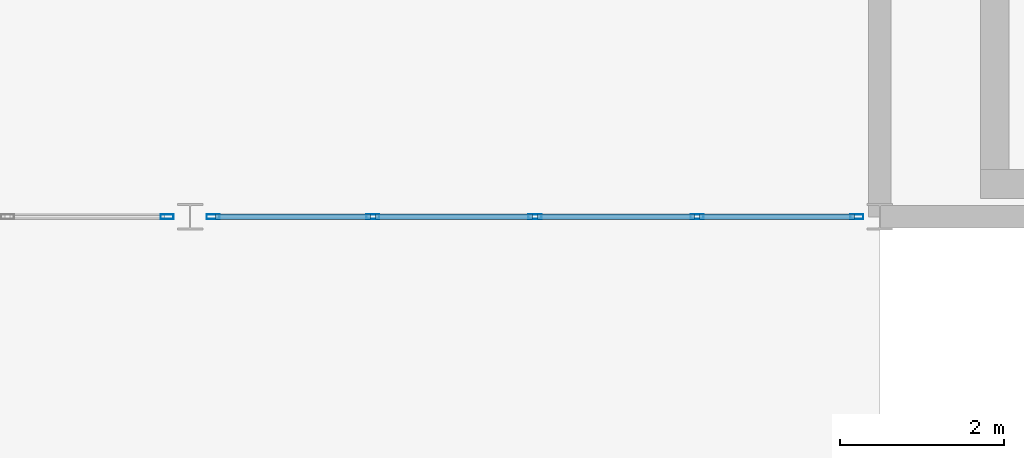
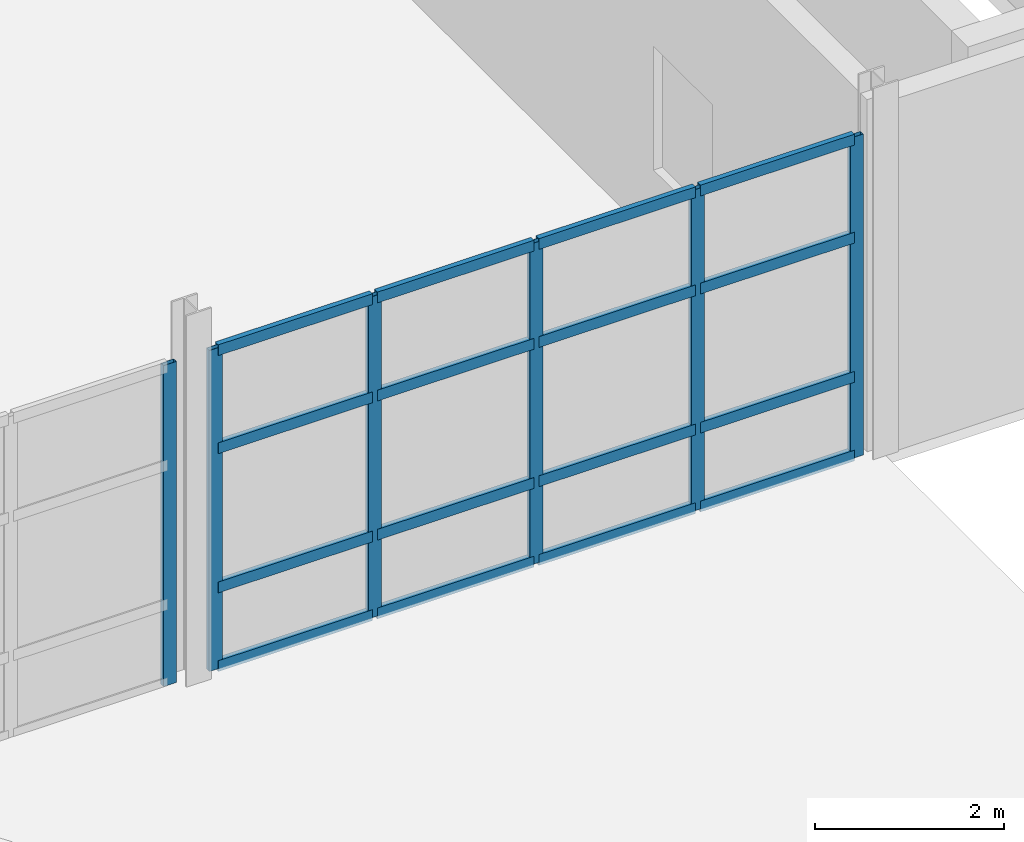
# One storey, part 6 of 14: 22 members, 2 elements without a shape of their own.
"""IFC4 building model written with IfcOpenShell, lengths in metres."""

from ifc_helpers import new_model, si_unit, direction, frame, origin, origin_2d, place, context, subcontext, project, spatial, hollow_rectangle, extrude, material, layer, layer_set, material_profile, profile_set, type_object, element, aggregate, save


model = new_model("IFC4")

# Units and contexts
model_context = context("Model", 3, precision=1e-05, world=origin(), true_north=direction((0.0, 1.0)))
body_context = subcontext(model_context, "Body", "Model", "MODEL_VIEW")
ifc_project = project(units=[si_unit("LENGTHUNIT", "METRE"), si_unit("AREAUNIT", "SQUARE_METRE"), si_unit("VOLUMEUNIT", "CUBIC_METRE"), si_unit("PLANEANGLEUNIT", "RADIAN"), si_unit("MASSUNIT", "GRAM", prefix="KILO")], contexts=[model_context])

# Site, building, storey
site_placement = place(None, origin())
site = spatial("IfcSite", under=ifc_project, at=site_placement, CompositionType="ELEMENT")
building_placement = place(site_placement, origin())
building = spatial("IfcBuilding", under=site, at=building_placement, Name="Selat Folded Stagehouse", CompositionType="ELEMENT")
storey_placement = place(building_placement, frame((0.0, 0.0, 27.60009765625)))
storey = spatial("IfcBuildingStorey", under=building, at=storey_placement, Name="L06", CompositionType="ELEMENT", Elevation=27.60009765625)

# Curtain wall, members
ifc_material = material(Name="Aluminium 6063-T6", Category="aluminium")
ifc_layer = layer(ifc_material, 0.175048828125)
ifc_layer_set = layer_set([ifc_layer], Name="Aluminium 6063-T6")
curtain_wall_type = type_object("IfcCurtainWallType", Name="CW-BRG-GLAZ", PredefinedType="NOTDEFINED", material=ifc_layer_set)
curtain_wall_1_placement = place(storey_placement, origin())
curtain_wall_1 = element("IfcCurtainWall", 1, at=curtain_wall_1_placement, inside=storey, type_object=curtain_wall_type, Name="L06 curtain wall CW-BRG-23", PredefinedType="NOTDEFINED")
ifc_material_profile_1 = material_profile(ifc_material, hollow_rectangle(XDim=0.06005859375, YDim=0.159912109375, WallThickness=0.00390625, at=origin_2d()), Name="ALU 160x60x4.0")
ifc_profile_set_1 = profile_set([ifc_material_profile_1], Name="Aluminium 6063-T6")
member_type_1 = type_object("IfcMemberType", Name="CWM-MUL-160x60", PredefinedType="MULLION", material=ifc_profile_set_1)
member_1_placement = place(storey_placement, frame((33.320068359375, 23.39990234375, 0.0), z_axis=(0.0, 0.0, 1.0), x_axis=(0.0, -1.0, 0.0)))
member_1 = element("IfcMember", 2, at=member_1_placement, type_object=member_type_1, Name="CW-07 mullion 1", PredefinedType="MULLION", context=body_context, shape_type="SweptSolid", body=[
    extrude(hollow_rectangle(XDim=0.06005859375, YDim=0.159912109375, WallThickness=0.00390625, at=origin_2d()), origin(), (0.0, 0.0, 1.0), 4.14990234375),
])
member_2_placement = place(storey_placement, frame((31.375, 23.39990234375, 0.0), z_axis=(0.0, 0.0, 1.0), x_axis=(0.0, -1.0, 0.0)))
member_2 = element("IfcMember", 3, at=member_2_placement, type_object=member_type_1, Name="CW-07 mullion 2", PredefinedType="MULLION", context=body_context, shape_type="SweptSolid", body=[
    extrude(hollow_rectangle(XDim=0.06005859375, YDim=0.159912109375, WallThickness=0.00390625, at=origin_2d()), origin(), (0.0, 0.0, 1.0), 4.14990234375),
])
member_3_placement = place(storey_placement, frame((29.39990234375, 23.39990234375, 0.0), z_axis=(0.0, 0.0, 1.0), x_axis=(0.0, -1.0, 0.0)))
member_3 = element("IfcMember", 4, at=member_3_placement, type_object=member_type_1, Name="CW-07 mullion 3", PredefinedType="MULLION", context=body_context, shape_type="SweptSolid", body=[
    extrude(hollow_rectangle(XDim=0.06005859375, YDim=0.159912109375, WallThickness=0.00390625, at=origin_2d()), origin(), (0.0, 0.0, 1.0), 4.14990234375),
])
member_4_placement = place(storey_placement, frame((27.425048828125, 23.39990234375, 0.0), z_axis=(0.0, 0.0, 1.0), x_axis=(0.0, -1.0, 0.0)))
member_4 = element("IfcMember", 5, at=member_4_placement, type_object=member_type_1, Name="CW-07 mullion 4", PredefinedType="MULLION", context=body_context, shape_type="SweptSolid", body=[
    extrude(hollow_rectangle(XDim=0.06005859375, YDim=0.159912109375, WallThickness=0.00390625, at=origin_2d()), origin(), (0.0, 0.0, 1.0), 4.14990234375),
])
member_5_placement = place(storey_placement, frame((25.47998046875, 23.39990234375, 0.0), z_axis=(0.0, 0.0, 1.0), x_axis=(0.0, -1.0, 0.0)))
member_5 = element("IfcMember", 6, at=member_5_placement, type_object=member_type_1, Name="CW-07 mullion 5", PredefinedType="MULLION", context=body_context, shape_type="SweptSolid", body=[
    extrude(hollow_rectangle(XDim=0.06005859375, YDim=0.159912109375, WallThickness=0.00390625, at=origin_2d()), origin(), (0.0, 0.0, 1.0), 4.14990234375),
])

# Curtain wall, member
curtain_wall_2_placement = place(storey_placement, origin())
curtain_wall_2 = element("IfcCurtainWall", 7, at=curtain_wall_2_placement, inside=storey, type_object=curtain_wall_type, Name="L06 curtain wall CW-BRG-24", PredefinedType="NOTDEFINED")
member_6_placement = place(storey_placement, frame((24.919921875, 23.39990234375, 0.0), z_axis=(0.0, 0.0, 1.0), x_axis=(0.0, -1.0, 0.0)))
member_6 = element("IfcMember", 8, at=member_6_placement, type_object=member_type_1, Name="CW-07 mullion 1", PredefinedType="MULLION", context=body_context, shape_type="SweptSolid", body=[
    extrude(hollow_rectangle(XDim=0.06005859375, YDim=0.159912109375, WallThickness=0.00390625, at=origin_2d()), origin(), (0.0, 0.0, 1.0), 4.14990234375),
])
aggregate(curtain_wall_2, [member_6])

# Member
ifc_material_profile_2 = material_profile(ifc_material, hollow_rectangle(XDim=0.06494140625, YDim=0.139892578125, WallThickness=0.00390625, at=origin_2d()), Name="ALU 140x65x4.0")
ifc_profile_set_2 = profile_set([ifc_material_profile_2], Name="Aluminium 6063-T6")
member_type_2 = type_object("IfcMemberType", Name="CWM-TRN-140x65", PredefinedType="USERDEFINED", material=ifc_profile_set_2)
member_7_placement = place(storey_placement, frame((33.2900390625, 23.39990234375, 0.032470703125), z_axis=(-1.0, 0.0, 0.0), x_axis=(0.0, -1.0, 0.0)))
member_7 = element("IfcMember", 9, at=member_7_placement, type_object=member_type_2, Name="CW-07 transom 1.1", ObjectType="TRANSOM", PredefinedType="USERDEFINED", context=body_context, shape_type="SweptSolid", body=[
    extrude(hollow_rectangle(XDim=0.06494140625, YDim=0.139892578125, WallThickness=0.00390625, at=origin_2d()), origin(), (0.0, 0.0, 1.0), 1.885009765625),
])

member_8_placement = place(storey_placement, frame((33.2900390625, 23.39990234375, 1.0498046875), z_axis=(-1.0, 0.0, 0.0), x_axis=(0.0, -1.0, 0.0)))
member_8 = element("IfcMember", 10, at=member_8_placement, type_object=member_type_2, Name="CW-07 transom 1.2", ObjectType="TRANSOM", PredefinedType="USERDEFINED", context=body_context, shape_type="SweptSolid", body=[
    extrude(hollow_rectangle(XDim=0.06494140625, YDim=0.139892578125, WallThickness=0.00390625, at=origin_2d()), origin(), (0.0, 0.0, 1.0), 1.885009765625),
])

member_9_placement = place(storey_placement, frame((33.2900390625, 23.39990234375, 2.849853515625), z_axis=(-1.0, 0.0, 0.0), x_axis=(0.0, -1.0, 0.0)))
member_9 = element("IfcMember", 11, at=member_9_placement, type_object=member_type_2, Name="CW-07 transom 1.3", ObjectType="TRANSOM", PredefinedType="USERDEFINED", context=body_context, shape_type="SweptSolid", body=[
    extrude(hollow_rectangle(XDim=0.06494140625, YDim=0.139892578125, WallThickness=0.00390625, at=origin_2d()), origin(), (0.0, 0.0, 1.0), 1.885009765625),
])

member_10_placement = place(storey_placement, frame((33.2900390625, 23.39990234375, 4.117431640625), z_axis=(-1.0, 0.0, 0.0), x_axis=(0.0, -1.0, 0.0)))
member_10 = element("IfcMember", 12, at=member_10_placement, type_object=member_type_2, Name="CW-07 transom 1.4", ObjectType="TRANSOM", PredefinedType="USERDEFINED", context=body_context, shape_type="SweptSolid", body=[
    extrude(hollow_rectangle(XDim=0.06494140625, YDim=0.139892578125, WallThickness=0.00390625, at=origin_2d()), origin(), (0.0, 0.0, 1.0), 1.885009765625),
])

member_11_placement = place(storey_placement, frame((31.344970703125, 23.39990234375, 0.032470703125), z_axis=(-1.0, 0.0, 0.0), x_axis=(0.0, -1.0, 0.0)))
member_11 = element("IfcMember", 13, at=member_11_placement, type_object=member_type_2, Name="CW-07 transom 2.1", ObjectType="TRANSOM", PredefinedType="USERDEFINED", context=body_context, shape_type="SweptSolid", body=[
    extrude(hollow_rectangle(XDim=0.06494140625, YDim=0.139892578125, WallThickness=0.00390625, at=origin_2d()), origin(), (0.0, 0.0, 1.0), 1.9150390625),
])

member_12_placement = place(storey_placement, frame((31.344970703125, 23.39990234375, 1.0498046875), z_axis=(-1.0, 0.0, 0.0), x_axis=(0.0, -1.0, 0.0)))
member_12 = element("IfcMember", 14, at=member_12_placement, type_object=member_type_2, Name="CW-07 transom 2.2", ObjectType="TRANSOM", PredefinedType="USERDEFINED", context=body_context, shape_type="SweptSolid", body=[
    extrude(hollow_rectangle(XDim=0.06494140625, YDim=0.139892578125, WallThickness=0.00390625, at=origin_2d()), origin(), (0.0, 0.0, 1.0), 1.9150390625),
])

member_13_placement = place(storey_placement, frame((31.344970703125, 23.39990234375, 2.849853515625), z_axis=(-1.0, 0.0, 0.0), x_axis=(0.0, -1.0, 0.0)))
member_13 = element("IfcMember", 15, at=member_13_placement, type_object=member_type_2, Name="CW-07 transom 2.3", ObjectType="TRANSOM", PredefinedType="USERDEFINED", context=body_context, shape_type="SweptSolid", body=[
    extrude(hollow_rectangle(XDim=0.06494140625, YDim=0.139892578125, WallThickness=0.00390625, at=origin_2d()), origin(), (0.0, 0.0, 1.0), 1.9150390625),
])

member_14_placement = place(storey_placement, frame((31.344970703125, 23.39990234375, 4.117431640625), z_axis=(-1.0, 0.0, 0.0), x_axis=(0.0, -1.0, 0.0)))
member_14 = element("IfcMember", 16, at=member_14_placement, type_object=member_type_2, Name="CW-07 transom 2.4", ObjectType="TRANSOM", PredefinedType="USERDEFINED", context=body_context, shape_type="SweptSolid", body=[
    extrude(hollow_rectangle(XDim=0.06494140625, YDim=0.139892578125, WallThickness=0.00390625, at=origin_2d()), origin(), (0.0, 0.0, 1.0), 1.9150390625),
])

member_15_placement = place(storey_placement, frame((29.3701171875, 23.39990234375, 0.032470703125), z_axis=(-1.0, 0.0, 0.0), x_axis=(0.0, -1.0, 0.0)))
member_15 = element("IfcMember", 17, at=member_15_placement, type_object=member_type_2, Name="CW-07 transom 3.1", ObjectType="TRANSOM", PredefinedType="USERDEFINED", context=body_context, shape_type="SweptSolid", body=[
    extrude(hollow_rectangle(XDim=0.06494140625, YDim=0.139892578125, WallThickness=0.00390625, at=origin_2d()), origin(), (0.0, 0.0, 1.0), 1.9150390625),
])

member_16_placement = place(storey_placement, frame((29.3701171875, 23.39990234375, 1.0498046875), z_axis=(-1.0, 0.0, 0.0), x_axis=(0.0, -1.0, 0.0)))
member_16 = element("IfcMember", 18, at=member_16_placement, type_object=member_type_2, Name="CW-07 transom 3.2", ObjectType="TRANSOM", PredefinedType="USERDEFINED", context=body_context, shape_type="SweptSolid", body=[
    extrude(hollow_rectangle(XDim=0.06494140625, YDim=0.139892578125, WallThickness=0.00390625, at=origin_2d()), origin(), (0.0, 0.0, 1.0), 1.9150390625),
])

member_17_placement = place(storey_placement, frame((29.3701171875, 23.39990234375, 2.849853515625), z_axis=(-1.0, 0.0, 0.0), x_axis=(0.0, -1.0, 0.0)))
member_17 = element("IfcMember", 19, at=member_17_placement, type_object=member_type_2, Name="CW-07 transom 3.3", ObjectType="TRANSOM", PredefinedType="USERDEFINED", context=body_context, shape_type="SweptSolid", body=[
    extrude(hollow_rectangle(XDim=0.06494140625, YDim=0.139892578125, WallThickness=0.00390625, at=origin_2d()), origin(), (0.0, 0.0, 1.0), 1.9150390625),
])

member_18_placement = place(storey_placement, frame((29.3701171875, 23.39990234375, 4.117431640625), z_axis=(-1.0, 0.0, 0.0), x_axis=(0.0, -1.0, 0.0)))
member_18 = element("IfcMember", 20, at=member_18_placement, type_object=member_type_2, Name="CW-07 transom 3.4", ObjectType="TRANSOM", PredefinedType="USERDEFINED", context=body_context, shape_type="SweptSolid", body=[
    extrude(hollow_rectangle(XDim=0.06494140625, YDim=0.139892578125, WallThickness=0.00390625, at=origin_2d()), origin(), (0.0, 0.0, 1.0), 1.9150390625),
])

member_19_placement = place(storey_placement, frame((27.39501953125, 23.39990234375, 0.032470703125), z_axis=(-1.0, 0.0, 0.0), x_axis=(0.0, -1.0, 0.0)))
member_19 = element("IfcMember", 21, at=member_19_placement, type_object=member_type_2, Name="CW-07 transom 4.1", ObjectType="TRANSOM", PredefinedType="USERDEFINED", context=body_context, shape_type="SweptSolid", body=[
    extrude(hollow_rectangle(XDim=0.06494140625, YDim=0.139892578125, WallThickness=0.00390625, at=origin_2d()), origin(), (0.0, 0.0, 1.0), 1.885009765625),
])

member_20_placement = place(storey_placement, frame((27.39501953125, 23.39990234375, 1.0498046875), z_axis=(-1.0, 0.0, 0.0), x_axis=(0.0, -1.0, 0.0)))
member_20 = element("IfcMember", 22, at=member_20_placement, type_object=member_type_2, Name="CW-07 transom 4.2", ObjectType="TRANSOM", PredefinedType="USERDEFINED", context=body_context, shape_type="SweptSolid", body=[
    extrude(hollow_rectangle(XDim=0.06494140625, YDim=0.139892578125, WallThickness=0.00390625, at=origin_2d()), origin(), (0.0, 0.0, 1.0), 1.885009765625),
])

member_21_placement = place(storey_placement, frame((27.39501953125, 23.39990234375, 2.849853515625), z_axis=(-1.0, 0.0, 0.0), x_axis=(0.0, -1.0, 0.0)))
member_21 = element("IfcMember", 23, at=member_21_placement, type_object=member_type_2, Name="CW-07 transom 4.3", ObjectType="TRANSOM", PredefinedType="USERDEFINED", context=body_context, shape_type="SweptSolid", body=[
    extrude(hollow_rectangle(XDim=0.06494140625, YDim=0.139892578125, WallThickness=0.00390625, at=origin_2d()), origin(), (0.0, 0.0, 1.0), 1.885009765625),
])

member_22_placement = place(storey_placement, frame((27.39501953125, 23.39990234375, 4.117431640625), z_axis=(-1.0, 0.0, 0.0), x_axis=(0.0, -1.0, 0.0)))
member_22 = element("IfcMember", 24, at=member_22_placement, type_object=member_type_2, Name="CW-07 transom 4.4", ObjectType="TRANSOM", PredefinedType="USERDEFINED", context=body_context, shape_type="SweptSolid", body=[
    extrude(hollow_rectangle(XDim=0.06494140625, YDim=0.139892578125, WallThickness=0.00390625, at=origin_2d()), origin(), (0.0, 0.0, 1.0), 1.885009765625),
])

aggregate(curtain_wall_1, [member_1, member_2, member_3, member_4, member_5, member_7, member_8, member_9, member_10, member_11, member_12, member_13, member_14, member_15, member_16, member_17, member_18, member_19, member_20, member_21, member_22])

save(model, "model.ifc")
